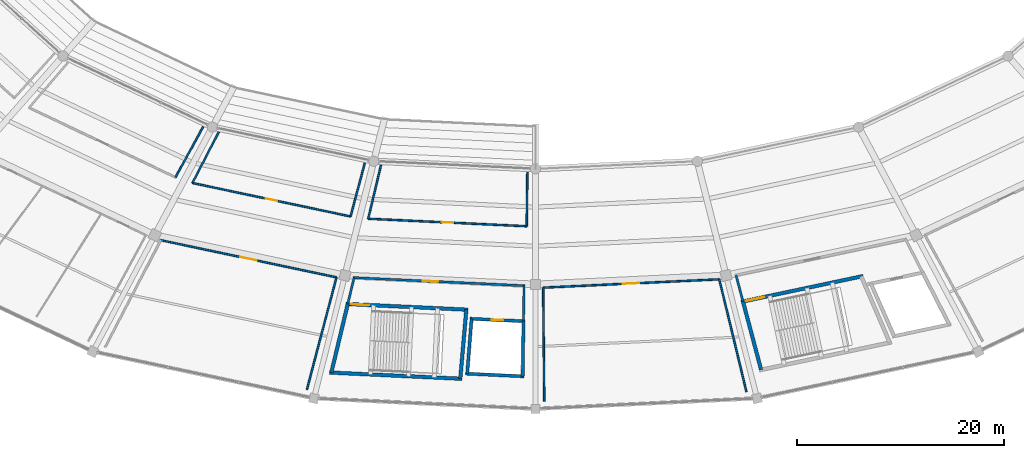
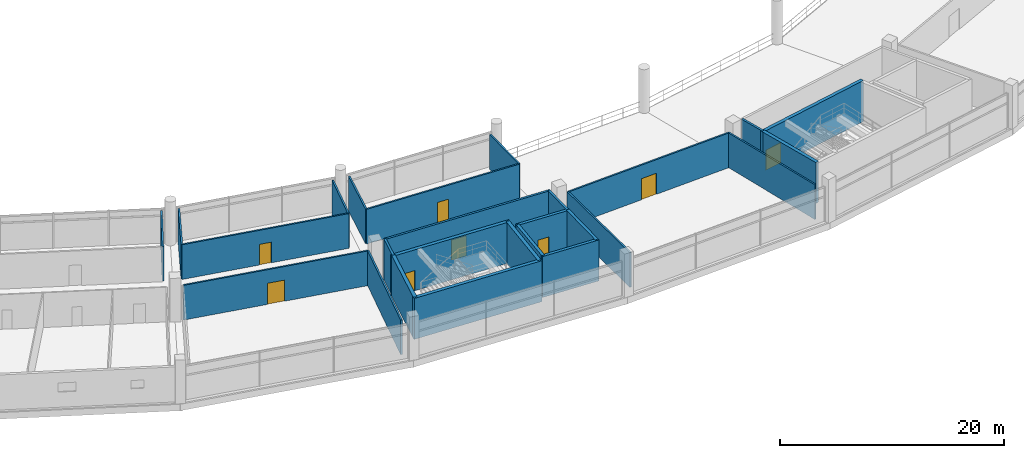
# One storey, part 130 of 171: 26 walls, 8 doors, 8 openings.
"""IFC4 building model written with IfcOpenShell, lengths in metres."""

from ifc_helpers import new_model, si_unit, direction, frame, frame_2d, origin, place, context, subcontext, project, spatial, rectangle, extrude, material, layer, layer_set, type_object, element, fill, save


model = new_model("IFC4")

# Units and contexts
model_context = context("Model", 3, precision=1e-05, world=origin(), true_north=direction((0.0, 1.0)))
body_context = subcontext(model_context, "Body", "Model", "MODEL_VIEW")
ifc_project = project(units=[si_unit("LENGTHUNIT", "METRE"), si_unit("AREAUNIT", "SQUARE_METRE"), si_unit("VOLUMEUNIT", "CUBIC_METRE"), si_unit("PLANEANGLEUNIT", "RADIAN"), si_unit("MASSUNIT", "GRAM", prefix="KILO")], contexts=[model_context])

# Site, building, storey
site_placement = place(None, origin())
site = spatial("IfcSite", under=ifc_project, at=site_placement, CompositionType="ELEMENT")
building_placement = place(site_placement, origin())
building = spatial("IfcBuilding", under=site, at=building_placement, Name="Kazemori Nagisa Stadium", CompositionType="ELEMENT")
storey_placement = place(building_placement, frame((0.0, 0.0, 15.639892578125)))
storey = spatial("IfcBuildingStorey", under=building, at=storey_placement, Name="L03", CompositionType="ELEMENT", Elevation=15.639892578125)

# Wall, opening, door
ifc_material_1 = material(Name="Concrete C40/50 (Fc42)", Category="concrete")
ifc_layer_1 = layer(ifc_material_1, 0.35009765625, Name="Concrete C40/50 (Fc42)", Category="concrete")
ifc_layer_set_1 = layer_set([ifc_layer_1], Name="Concrete C40/50 (Fc42)")
wall_type_1 = type_object("IfcWallType", Name="Wall_W-CORE-350", PredefinedType="SHEAR", material=ifc_layer_set_1)
wall_1_placement = place(storey_placement, frame((104.66748046875, 26.15478515625, 0.0), z_axis=(0.0, 0.0, 1.0), x_axis=(0.998883770468, -0.04723571843, 0.0)))
wall_1 = element("IfcWall", 1, at=wall_1_placement, inside=storey, type_object=wall_type_1, Name="Core stair front shear wall ST12 L03", PredefinedType="SHEAR", context=body_context, shape_type="SweptSolid", body=[
    extrude(rectangle(XDim=11.830810546875, YDim=0.35009765625, at=frame_2d((5.91552734375, 0.0))), origin(), (0.0, 0.0, 1.0), 4.460205078125),
])
opening_1_placement = place(wall_1_placement, frame((0.47509765625, 0.0, 0.0)))
opening_1 = element("IfcOpeningElement", 2, at=opening_1_placement, cuts=wall_1, Name="Opening D-ST-1800", PredefinedType="OPENING", context=body_context, shape_type="SweptSolid", body=[
    extrude(rectangle(XDim=1.800048828125, YDim=2.199951171875, at=frame_2d((0.89990234375, 1.10009765625))), frame((0.0, 0.18505859375, 0.0), z_axis=(0.0, -1.0, 0.0), x_axis=(1.0, 0.0, 0.0)), (0.0, 0.0, 1.0), 0.3701171875),
])
ifc_material_2 = material(Name="Galvanised steel sheet", Category="steel")
door_type_1 = type_object("IfcDoorType", Name="Door_D-ST-1800", OperationType="NOTDEFINED", PredefinedType="DOOR", material=ifc_material_2)
door_1_placement = place(opening_1_placement, frame((1.800048828125, 0.0, 0.0), z_axis=(0.0, 0.0, 1.0), x_axis=(-1.0, 0.0, 0.0)))
door_1 = element("IfcDoor", 3, at=door_1_placement, inside=storey, type_object=door_type_1, Name="Exit stair fire door ST12-L03", OperationType="SINGLE_SWING_RIGHT", OverallHeight=2.199951171875, OverallWidth=1.800048828125, PredefinedType="DOOR", context=body_context, shape_type="SweptSolid", body=[
    extrude(rectangle(XDim=1.800048828125, YDim=2.199951171875, at=frame_2d((0.89990234375, 1.10009765625))), frame((0.0, 0.02490234375, 0.0), z_axis=(0.0, -1.0, 0.0), x_axis=(1.0, 0.0, 0.0)), (0.0, 0.0, 1.0), 0.050048828125),
])
fill(opening_1, door_1)

# Walls
wall_2_placement = place(storey_placement, frame((103.07958984375, 19.52197265625, 0.0), z_axis=(0.0, 0.0, 1.0), x_axis=(0.998884004857, -0.047230761603, 0.0)))
element("IfcWall", 4, at=wall_2_placement, inside=storey, type_object=wall_type_1, Name="Core stair rear shear wall ST12 L03", PredefinedType="SHEAR", context=body_context, shape_type="SweptSolid", body=[
    extrude(rectangle(XDim=12.8349609375, YDim=0.35009765625, at=frame_2d((6.41748046875, 0.0))), origin(), (0.0, 0.0, 1.0), 4.460205078125),
])
wall_3_placement = place(storey_placement, frame((104.84228515625, 26.146484375, 0.0), z_axis=(0.0, 0.0, 1.0), x_axis=(-0.232820532896, -0.972519716747, 0.0)))
element("IfcWall", 5, at=wall_3_placement, inside=storey, type_object=wall_type_1, Name="Core stair left shear wall ST12 L03", PredefinedType="SHEAR", context=body_context, shape_type="SweptSolid", body=[
    extrude(rectangle(XDim=6.8203125, YDim=0.35009765625, at=frame_2d((3.41015625, 0.0))), origin(), (0.0, 0.0, 1.0), 4.460205078125),
])
wall_4_placement = place(storey_placement, frame((116.310302734375, 25.604248046875, 0.0), z_axis=(0.0, 0.0, 1.0), x_axis=(-0.087232889326, -0.996187945631, 0.0)))
element("IfcWall", 6, at=wall_4_placement, inside=storey, type_object=wall_type_1, Name="Core stair right shear wall ST12 L03", PredefinedType="SHEAR", context=body_context, shape_type="SweptSolid", body=[
    extrude(rectangle(XDim=6.705810546875, YDim=0.35009765625, at=frame_2d((3.35302734375, 0.0))), origin(), (0.0, 0.0, 1.0), 4.460205078125),
])

# Wall, opening, door
wall_5_placement = place(storey_placement, frame((142.895751953125, 26.357177734375, 0.0), z_axis=(0.0, 0.0, 1.0), x_axis=(0.978345203961, 0.206979858648, 0.0)))
wall_5 = element("IfcWall", 7, at=wall_5_placement, inside=storey, type_object=wall_type_1, Name="Core stair front shear wall ST06 L03", PredefinedType="SHEAR", context=body_context, shape_type="SweptSolid", body=[
    extrude(rectangle(XDim=12.044189453125, YDim=0.35009765625, at=frame_2d((6.02197265625, 0.0))), origin(), (0.0, 0.0, 1.0), 4.460205078125),
])
opening_2_placement = place(wall_5_placement, frame((0.47509765625, 0.0, 0.0)))
opening_2 = element("IfcOpeningElement", 8, at=opening_2_placement, cuts=wall_5, Name="Opening D-ST-1800", PredefinedType="OPENING", context=body_context, shape_type="SweptSolid", body=[
    extrude(rectangle(XDim=1.800048828125, YDim=2.199951171875, at=frame_2d((0.89990234375, 1.10009765625))), frame((0.0, 0.18505859375, 0.0), z_axis=(0.0, -1.0, 0.0), x_axis=(1.0, 0.0, 0.0)), (0.0, 0.0, 1.0), 0.3701171875),
])
door_2_placement = place(opening_2_placement, frame((1.800048828125, 0.0, 0.0), z_axis=(0.0, 0.0, 1.0), x_axis=(-1.0, 0.0, 0.0)))
door_2 = element("IfcDoor", 9, at=door_2_placement, inside=storey, type_object=door_type_1, Name="Exit stair fire door ST06-L03", OperationType="SINGLE_SWING_RIGHT", OverallHeight=2.199951171875, OverallWidth=1.800048828125, PredefinedType="DOOR", context=body_context, shape_type="SweptSolid", body=[
    extrude(rectangle(XDim=1.800048828125, YDim=2.199951171875, at=frame_2d((0.89990234375, 1.10009765625))), frame((0.0, 0.02490234375, 0.0), z_axis=(0.0, -1.0, 0.0), x_axis=(1.0, 0.0, 0.0)), (0.0, 0.0, 1.0), 0.050048828125),
])
fill(opening_2, door_2)

# Wall
wall_6_placement = place(storey_placement, frame((143.06689453125, 26.3935546875, 0.0), z_axis=(0.0, 0.0, 1.0), x_axis=(0.256518400663, -0.966539347425, 0.0)))
element("IfcWall", 10, at=wall_6_placement, inside=storey, type_object=wall_type_1, Name="Core stair left shear wall ST06 L03", PredefinedType="SHEAR", context=body_context, shape_type="SweptSolid", body=[
    extrude(rectangle(XDim=6.840087890625, YDim=0.35009765625, at=frame_2d((3.419921875, 0.0))), origin(), (0.0, 0.0, 1.0), 4.460205078125),
])

# Wall, opening, door
ifc_material_3 = material(Name="Concrete C36/45 (Fc36)", Category="concrete")
ifc_layer_2 = layer(ifc_material_3, 0.219970703125, Name="Concrete C36/45 (Fc36)", Category="concrete")
ifc_layer_set_2 = layer_set([ifc_layer_2], Name="Concrete C36/45 (Fc36)")
wall_type_2 = type_object("IfcWallType", Name="Wall_W-LOBBY-220", PredefinedType="SOLIDWALL", material=ifc_layer_set_2)
wall_7_placement = place(storey_placement, frame((105.343017578125, 28.702880859375, 0.0), z_axis=(0.0, 0.0, 1.0), x_axis=(0.998884242682, -0.047225731555, 0.0)))
wall_7 = element("IfcWall", 11, at=wall_7_placement, inside=storey, type_object=wall_type_2, Name="Core lobby fire wall ST12 L03", PredefinedType="SOLIDWALL", context=body_context, shape_type="SweptSolid", body=[
    extrude(rectangle(XDim=16.67724609375, YDim=0.219970703125, at=frame_2d((8.338623046875, 0.0))), origin(), (0.0, 0.0, 1.0), 4.460205078125),
])
opening_3_placement = place(wall_7_placement, frame((6.76611328125, 0.0, 0.0)))
opening_3 = element("IfcOpeningElement", 12, at=opening_3_placement, cuts=wall_7, Name="Opening D-FFL-1500", PredefinedType="OPENING", context=body_context, shape_type="SweptSolid", body=[
    extrude(rectangle(XDim=1.5, YDim=2.199951171875, at=frame_2d((0.75, 1.10009765625))), frame((0.0, 0.119873046875, 0.0), z_axis=(0.0, -1.0, 0.0), x_axis=(1.0, 0.0, 0.0)), (0.0, 0.0, 1.0), 0.239990234375),
])
door_type_2 = type_object("IfcDoorType", Name="Door_D-FFL-1500", OperationType="NOTDEFINED", PredefinedType="DOOR", material=ifc_material_2)
door_3_placement = place(opening_3_placement, frame((1.5, 0.0, 0.0), z_axis=(0.0, 0.0, 1.0), x_axis=(-1.0, 0.0, 0.0)))
door_3 = element("IfcDoor", 13, at=door_3_placement, inside=storey, type_object=door_type_2, Name="Protected lobby fire door ST12-L03", OperationType="DOUBLE_DOOR_SINGLE_SWING", OverallHeight=2.199951171875, OverallWidth=1.5, PredefinedType="DOOR", context=body_context, shape_type="SweptSolid", body=[
    extrude(rectangle(XDim=1.5, YDim=2.199951171875, at=frame_2d((0.75, 1.10009765625))), frame((0.0, 0.02490234375, 0.0), z_axis=(0.0, -1.0, 0.0), x_axis=(1.0, 0.0, 0.0)), (0.0, 0.0, 1.0), 0.050048828125),
])
fill(opening_3, door_3)

# Walls
wall_8_placement = place(storey_placement, frame((105.452880859375, 28.69775390625, 0.0), z_axis=(0.0, 0.0, 1.0), x_axis=(-0.232756927197, -0.972534941707, 0.0)))
element("IfcWall", 14, at=wall_8_placement, inside=storey, type_object=wall_type_2, Name="Core lobby left wall ST12 L03", PredefinedType="SOLIDWALL", context=body_context, shape_type="SweptSolid", body=[
    extrude(rectangle(XDim=2.623291015625, YDim=0.219970703125, at=frame_2d((1.3115234375, 0.0))), origin(), (0.0, 0.0, 1.0), 4.460205078125),
])
wall_9_placement = place(storey_placement, frame((121.891845703125, 27.92041015625, 0.0), z_axis=(0.0, 0.0, 1.0), x_axis=(-0.014984113027, -0.999887731876, 0.0)))
element("IfcWall", 15, at=wall_9_placement, inside=storey, type_object=wall_type_2, Name="Core lobby right wall ST12 L03", PredefinedType="SOLIDWALL", context=body_context, shape_type="SweptSolid", body=[
    extrude(rectangle(XDim=3.43798828125, YDim=0.219970703125, at=frame_2d((1.718994140625, 0.0))), origin(), (0.0, 0.0, 1.0), 4.460205078125),
])
wall_10_placement = place(storey_placement, frame((142.39208984375, 28.936279296875, 0.0), z_axis=(0.0, 0.0, 1.0), x_axis=(0.256507243456, -0.966542308466, 0.0)))
element("IfcWall", 16, at=wall_10_placement, inside=storey, type_object=wall_type_2, Name="Core lobby left wall ST06 L03", PredefinedType="SOLIDWALL", context=body_context, shape_type="SweptSolid", body=[
    extrude(rectangle(XDim=2.630859375, YDim=0.219970703125, at=frame_2d((1.3154296875, 0.0))), origin(), (0.0, 0.0, 1.0), 4.460205078125),
])

# Wall, opening, door
ifc_material_4 = material(Name="Gypsum plasterboard", Category="gypsum")
ifc_layer_3 = layer(ifc_material_4, 0.1650390625, Name="Gypsum plasterboard", Category="gypsum")
ifc_layer_set_3 = layer_set([ifc_layer_3], Name="Gypsum plasterboard")
wall_type_3 = type_object("IfcWallType", Name="Wall_W-PART-165", PredefinedType="PARTITIONING", material=ifc_layer_set_3)
wall_11_placement = place(storey_placement, frame((86.755615234375, 32.322509765625, 0.0), z_axis=(0.0, 0.0, 1.0), x_axis=(0.978347075804, -0.206971010692, 0.0)))
wall_11 = element("IfcWall", 17, at=wall_11_placement, inside=storey, type_object=wall_type_3, Name="Room corridor partition L03-B20", PredefinedType="PARTITIONING", context=body_context, shape_type="SweptSolid", body=[
    extrude(rectangle(XDim=17.3681640625, YDim=0.1650390625, at=frame_2d((8.68408203125, 0.0))), origin(), (0.0, 0.0, 1.0), 3.780029296875),
])
opening_4_placement = place(wall_11_placement, frame((7.884033203125, 0.0, 0.0)))
opening_4 = element("IfcOpeningElement", 18, at=opening_4_placement, cuts=wall_11, Name="Opening D-LNG-1600", PredefinedType="OPENING", context=body_context, shape_type="SweptSolid", body=[
    extrude(rectangle(XDim=1.60009765625, YDim=2.300048828125, at=frame_2d((0.800048828125, 1.14990234375))), frame((0.0, 0.092529296875, 0.0), z_axis=(0.0, -1.0, 0.0), x_axis=(1.0, 0.0, 0.0)), (0.0, 0.0, 1.0), 0.18505859375),
])
ifc_material_5 = material(Name="Anodised aluminium 6063-T5", Category="aluminium")
door_type_3 = type_object("IfcDoorType", Name="Door_D-LNG-1600", OperationType="NOTDEFINED", PredefinedType="DOOR", material=ifc_material_5)
door_4_placement = place(opening_4_placement, origin())
door_4 = element("IfcDoor", 19, at=door_4_placement, inside=storey, type_object=door_type_3, Name="Room entrance door D-LNG-1600 L03-B20", OperationType="DOUBLE_DOOR_SINGLE_SWING", OverallHeight=2.300048828125, OverallWidth=1.60009765625, PredefinedType="DOOR", context=body_context, shape_type="SweptSolid", body=[
    extrude(rectangle(XDim=1.60009765625, YDim=2.300048828125, at=frame_2d((0.800048828125, 1.14990234375))), frame((0.0, 0.02490234375, 0.0), z_axis=(0.0, -1.0, 0.0), x_axis=(1.0, 0.0, 0.0)), (0.0, 0.0, 1.0), 0.050048828125),
])
fill(opening_4, door_4)

# Wall
wall_12_placement = place(storey_placement, frame((103.747802734375, 28.727783203125, 0.0), z_axis=(0.0, 0.0, 1.0), x_axis=(-0.254131382846, -0.967169706025, 0.0)))
element("IfcWall", 20, at=wall_12_placement, inside=storey, type_object=wall_type_3, Name="Room radial partition L03-B20-R", PredefinedType="PARTITIONING", context=body_context, shape_type="SweptSolid", body=[
    extrude(rectangle(XDim=11.2236328125, YDim=0.1650390625, at=frame_2d((5.61181640625, 0.0))), origin(), (0.0, 0.0, 1.0), 3.780029296875),
])

# Wall, opening, door
wall_13_placement = place(storey_placement, frame((123.740478515625, 27.73095703125, 0.0), z_axis=(0.0, 0.0, 1.0), x_axis=(0.998883826153, 0.047234540851, 0.0)))
wall_13 = element("IfcWall", 21, at=wall_13_placement, inside=storey, type_object=wall_type_3, Name="Room corridor partition L03-B22", PredefinedType="PARTITIONING", context=body_context, shape_type="SweptSolid", body=[
    extrude(rectangle(XDim=17.051513671875, YDim=0.1650390625, at=frame_2d((8.52587890625, 0.0))), origin(), (0.0, 0.0, 1.0), 3.780029296875),
])
opening_5_placement = place(wall_13_placement, frame((7.72607421875, 0.0, 0.0)))
opening_5 = element("IfcOpeningElement", 22, at=opening_5_placement, cuts=wall_13, Name="Opening D-LNG-1600", PredefinedType="OPENING", context=body_context, shape_type="SweptSolid", body=[
    extrude(rectangle(XDim=1.60009765625, YDim=2.300048828125, at=frame_2d((0.800048828125, 1.14990234375))), frame((0.0, 0.092529296875, 0.0), z_axis=(0.0, -1.0, 0.0), x_axis=(1.0, 0.0, 0.0)), (0.0, 0.0, 1.0), 0.18505859375),
])
door_5_placement = place(opening_5_placement, origin())
door_5 = element("IfcDoor", 23, at=door_5_placement, inside=storey, type_object=door_type_3, Name="Room entrance door D-LNG-1600 L03-B22", OperationType="DOUBLE_DOOR_SINGLE_SWING", OverallHeight=2.300048828125, OverallWidth=1.60009765625, PredefinedType="DOOR", context=body_context, shape_type="SweptSolid", body=[
    extrude(rectangle(XDim=1.60009765625, YDim=2.300048828125, at=frame_2d((0.800048828125, 1.14990234375))), frame((0.0, 0.02490234375, 0.0), z_axis=(0.0, -1.0, 0.0), x_axis=(1.0, 0.0, 0.0)), (0.0, 0.0, 1.0), 0.050048828125),
])
fill(opening_5, door_5)

# Walls
wall_14_placement = place(storey_placement, frame((123.740478515625, 27.73095703125, 0.0), z_axis=(0.0, 0.0, 1.0), x_axis=(0.00998463551, -0.999950152284, 0.0)))
element("IfcWall", 24, at=wall_14_placement, inside=storey, type_object=wall_type_3, Name="Room radial partition L03-B22-L", PredefinedType="PARTITIONING", context=body_context, shape_type="SweptSolid", body=[
    extrude(rectangle(XDim=11.003173828125, YDim=0.1650390625, at=frame_2d((5.50146484375, 0.0))), origin(), (0.0, 0.0, 1.0), 3.780029296875),
])
wall_15_placement = place(storey_placement, frame((140.77294921875, 28.536376953125, 0.0), z_axis=(0.0, 0.0, 1.0), x_axis=(0.235146333041, -0.971959979658, 0.0)))
element("IfcWall", 25, at=wall_15_placement, inside=storey, type_object=wall_type_3, Name="Room radial partition L03-B22-R", PredefinedType="PARTITIONING", context=body_context, shape_type="SweptSolid", body=[
    extrude(rectangle(XDim=11.197509765625, YDim=0.1650390625, at=frame_2d((5.5986328125, 0.0))), origin(), (0.0, 0.0, 1.0), 3.780029296875),
])
wall_16_placement = place(storey_placement, frame((88.183349609375, 38.40478515625, 0.0), z_axis=(0.0, 0.0, 1.0), x_axis=(0.480238256952, 0.877138082949, 0.0)))
element("IfcWall", 26, at=wall_16_placement, inside=storey, type_object=wall_type_3, Name="Bowl hospitality suite divider L03-B19R", PredefinedType="PARTITIONING", context=body_context, shape_type="SweptSolid", body=[
    extrude(rectangle(XDim=5.563232421875, YDim=0.1650390625, at=frame_2d((2.78173828125, 0.0))), origin(), (0.0, 0.0, 1.0), 3.780029296875),
])

# Wall, opening, door
wall_17_placement = place(storey_placement, frame((89.820068359375, 37.85107421875, 0.0), z_axis=(0.0, 0.0, 1.0), x_axis=(0.978345507247, -0.206978425083, 0.0)))
wall_17 = element("IfcWall", 27, at=wall_17_placement, inside=storey, type_object=wall_type_3, Name="Bowl hospitality suite partition L03-B20", PredefinedType="PARTITIONING", context=body_context, shape_type="SweptSolid", body=[
    extrude(rectangle(XDim=15.6337890625, YDim=0.1650390625, at=frame_2d((7.81689453125, 0.0))), origin(), (0.0, 0.0, 1.0), 3.780029296875),
])
opening_6_placement = place(wall_17_placement, frame((7.26708984375, 0.0, 0.0)))
opening_6 = element("IfcOpeningElement", 28, at=opening_6_placement, cuts=wall_17, Name="Opening D-SUI-1100", PredefinedType="OPENING", context=body_context, shape_type="SweptSolid", body=[
    extrude(rectangle(XDim=1.10009765625, YDim=2.25, at=frame_2d((0.550048828125, 1.125))), frame((0.0, 0.092529296875, 0.0), z_axis=(0.0, -1.0, 0.0), x_axis=(1.0, 0.0, 0.0)), (0.0, 0.0, 1.0), 0.18505859375),
])
ifc_material_6 = material(Name="Oak timber veneer", Category="wood")
door_type_4 = type_object("IfcDoorType", Name="Door_D-SUI-1100", OperationType="NOTDEFINED", PredefinedType="DOOR", material=ifc_material_6)
door_6_placement = place(opening_6_placement, origin())
door_6 = element("IfcDoor", 29, at=door_6_placement, inside=storey, type_object=door_type_4, Name="Bowl hospitality suite door L03-B20", OperationType="SINGLE_SWING_RIGHT", OverallHeight=2.25, OverallWidth=1.10009765625, PredefinedType="DOOR", context=body_context, shape_type="SweptSolid", body=[
    extrude(rectangle(XDim=1.10009765625, YDim=2.25, at=frame_2d((0.550048828125, 1.125))), frame((0.0, 0.02490234375, 0.0), z_axis=(0.0, -1.0, 0.0), x_axis=(1.0, 0.0, 0.0)), (0.0, 0.0, 1.0), 0.050048828125),
])
fill(opening_6, door_6)

# Walls
wall_18_placement = place(storey_placement, frame((89.820068359375, 37.85107421875, 0.0), z_axis=(0.0, 0.0, 1.0), x_axis=(0.459419323279, 0.888219502937, 0.0)))
element("IfcWall", 30, at=wall_18_placement, inside=storey, type_object=wall_type_3, Name="Bowl hospitality suite divider L03-B20L", PredefinedType="PARTITIONING", context=body_context, shape_type="SweptSolid", body=[
    extrude(rectangle(XDim=5.54150390625, YDim=0.1650390625, at=frame_2d((2.770751953125, 0.0))), origin(), (0.0, 0.0, 1.0), 3.780029296875),
])
wall_19_placement = place(storey_placement, frame((105.115234375, 34.615234375, 0.0), z_axis=(0.0, 0.0, 1.0), x_axis=(0.25653476524, 0.966535004138, 0.0)))
element("IfcWall", 31, at=wall_19_placement, inside=storey, type_object=wall_type_3, Name="Bowl hospitality suite divider L03-B20R", PredefinedType="PARTITIONING", context=body_context, shape_type="SweptSolid", body=[
    extrude(rectangle(XDim=5.349365234375, YDim=0.1650390625, at=frame_2d((2.6748046875, 0.0))), origin(), (0.0, 0.0, 1.0), 3.780029296875),
])

# Wall, opening, door
wall_20_placement = place(storey_placement, frame((106.816650390625, 34.395263671875, 0.0), z_axis=(0.0, 0.0, 1.0), x_axis=(0.99888348783, -0.04724169494, 0.0)))
wall_20 = element("IfcWall", 32, at=wall_20_placement, inside=storey, type_object=wall_type_3, Name="Bowl hospitality suite partition L03-B21", PredefinedType="PARTITIONING", context=body_context, shape_type="SweptSolid", body=[
    extrude(rectangle(XDim=15.3486328125, YDim=0.1650390625, at=frame_2d((7.67431640625, 0.0))), origin(), (0.0, 0.0, 1.0), 3.780029296875),
])
opening_7_placement = place(wall_20_placement, frame((7.1240234375, 0.0, 0.0)))
opening_7 = element("IfcOpeningElement", 33, at=opening_7_placement, cuts=wall_20, Name="Opening D-SUI-1100", PredefinedType="OPENING", context=body_context, shape_type="SweptSolid", body=[
    extrude(rectangle(XDim=1.10009765625, YDim=2.25, at=frame_2d((0.550048828125, 1.125))), frame((0.0, 0.092529296875, 0.0), z_axis=(0.0, -1.0, 0.0), x_axis=(1.0, 0.0, 0.0)), (0.0, 0.0, 1.0), 0.18505859375),
])
door_7_placement = place(opening_7_placement, origin())
door_7 = element("IfcDoor", 34, at=door_7_placement, inside=storey, type_object=door_type_4, Name="Bowl hospitality suite door L03-B21", OperationType="SINGLE_SWING_LEFT", OverallHeight=2.25, OverallWidth=1.10009765625, PredefinedType="DOOR", context=body_context, shape_type="SweptSolid", body=[
    extrude(rectangle(XDim=1.10009765625, YDim=2.25, at=frame_2d((0.550048828125, 1.125))), frame((0.0, 0.02490234375, 0.0), z_axis=(0.0, -1.0, 0.0), x_axis=(1.0, 0.0, 0.0)), (0.0, 0.0, 1.0), 0.050048828125),
])
fill(opening_7, door_7)

# Walls
wall_21_placement = place(storey_placement, frame((106.816650390625, 34.395263671875, 0.0), z_axis=(0.0, 0.0, 1.0), x_axis=(0.232841451619, 0.972514708582, 0.0)))
element("IfcWall", 35, at=wall_21_placement, inside=storey, type_object=wall_type_3, Name="Bowl hospitality suite divider L03-B21L", PredefinedType="PARTITIONING", context=body_context, shape_type="SweptSolid", body=[
    extrude(rectangle(XDim=5.333740234375, YDim=0.1650390625, at=frame_2d((2.6669921875, 0.0))), origin(), (0.0, 0.0, 1.0), 3.780029296875),
])
wall_22_placement = place(storey_placement, frame((122.148193359375, 33.670166015625, 0.0), z_axis=(0.0, 0.0, 1.0), x_axis=(0.012478655792, 0.999922138544, 0.0)))
element("IfcWall", 36, at=wall_22_placement, inside=storey, type_object=wall_type_3, Name="Bowl hospitality suite divider L03-B21R", PredefinedType="PARTITIONING", context=body_context, shape_type="SweptSolid", body=[
    extrude(rectangle(XDim=5.243408203125, YDim=0.1650390625, at=frame_2d((2.62158203125, 0.0))), origin(), (0.0, 0.0, 1.0), 3.780029296875),
])

# Wall, opening, door
ifc_layer_4 = layer(ifc_material_1, 0.300048828125, Name="Concrete C40/50 (Fc42)", Category="concrete")
ifc_layer_set_4 = layer_set([ifc_layer_4], Name="Concrete C40/50 (Fc42)")
wall_type_4 = type_object("IfcWallType", Name="Wall_W-SHAFT-300", PredefinedType="SHEAR", material=ifc_layer_set_4)
wall_23_placement = place(storey_placement, frame((116.665283203125, 24.7275390625, 0.0), z_axis=(0.0, 0.0, 1.0), x_axis=(0.998882494219, -0.047262699282, 0.0)))
wall_23 = element("IfcWall", 37, at=wall_23_placement, inside=storey, type_object=wall_type_4, Name="Lift shaft front wall LP4 L03", PredefinedType="SHEAR", context=body_context, shape_type="SweptSolid", body=[
    extrude(rectangle(XDim=5.330810546875, YDim=0.300048828125, at=frame_2d((2.66552734375, 0.0))), origin(), (0.0, 0.0, 1.0), 4.460205078125),
])
opening_8_placement = place(wall_23_placement, frame((2.114990234375, 0.0, 0.0)))
opening_8 = element("IfcOpeningElement", 38, at=opening_8_placement, cuts=wall_23, Name="Opening LD-PAX", PredefinedType="OPENING", context=body_context, shape_type="SweptSolid", body=[
    extrude(rectangle(XDim=1.10009765625, YDim=2.199951171875, at=frame_2d((0.550048828125, 1.10009765625))), frame((0.0, 0.159912109375, 0.0), z_axis=(0.0, -1.0, 0.0), x_axis=(1.0, 0.0, 0.0)), (0.0, 0.0, 1.0), 0.320068359375),
])
ifc_material_7 = material(Name="Stainless steel SUS304", Category="steel")
door_type_5 = type_object("IfcDoorType", Name="Door_LD-PAX", OperationType="SLIDING_TO_RIGHT", PredefinedType="DOOR", material=ifc_material_7)
door_8_placement = place(opening_8_placement, origin())
door_8 = element("IfcDoor", 39, at=door_8_placement, inside=storey, type_object=door_type_5, Name="Lift landing door LP4-L03", OperationType="SLIDING_TO_RIGHT", OverallHeight=2.199951171875, OverallWidth=1.10009765625, PredefinedType="DOOR", context=body_context, shape_type="SweptSolid", body=[
    extrude(rectangle(XDim=1.10009765625, YDim=2.199951171875, at=frame_2d((0.550048828125, 1.10009765625))), frame((0.0, 0.02490234375, 0.0), z_axis=(0.0, -1.0, 0.0), x_axis=(1.0, 0.0, 0.0)), (0.0, 0.0, 1.0), 0.050048828125),
])
fill(opening_8, door_8)

# Walls
wall_24_placement = place(storey_placement, frame((116.240234375, 19.41552734375, 0.0), z_axis=(0.0, 0.0, 1.0), x_axis=(0.998884329444, -0.047223896393, 0.0)))
element("IfcWall", 40, at=wall_24_placement, inside=storey, type_object=wall_type_4, Name="Lift shaft B wall LP4 L03", PredefinedType="SHEAR", context=body_context, shape_type="SweptSolid", body=[
    extrude(rectangle(XDim=5.676513671875, YDim=0.300048828125, at=frame_2d((2.83837890625, 0.0))), origin(), (0.0, 0.0, 1.0), 4.460205078125),
])
wall_25_placement = place(storey_placement, frame((116.815185546875, 24.720458984375, 0.0), z_axis=(0.0, 0.0, 1.0), x_axis=(-0.079807132276, -0.996810323802, 0.0)))
element("IfcWall", 41, at=wall_25_placement, inside=storey, type_object=wall_type_4, Name="Lift shaft L wall LP4 L03", PredefinedType="SHEAR", context=body_context, shape_type="SweptSolid", body=[
    extrude(rectangle(XDim=5.3291015625, YDim=0.300048828125, at=frame_2d((2.66455078125, 0.0))), origin(), (0.0, 0.0, 1.0), 4.460205078125),
])
wall_26_placement = place(storey_placement, frame((121.84033203125, 24.48291015625, 0.0), z_axis=(0.0, 0.0, 1.0), x_axis=(-0.014935332807, -0.999888461697, 0.0)))
element("IfcWall", 42, at=wall_26_placement, inside=storey, type_object=wall_type_4, Name="Lift shaft R wall LP4 L03", PredefinedType="SHEAR", context=body_context, shape_type="SweptSolid", body=[
    extrude(rectangle(XDim=5.328857421875, YDim=0.300048828125, at=frame_2d((2.66455078125, 0.0))), origin(), (0.0, 0.0, 1.0), 4.460205078125),
])

save(model, "model.ifc")
